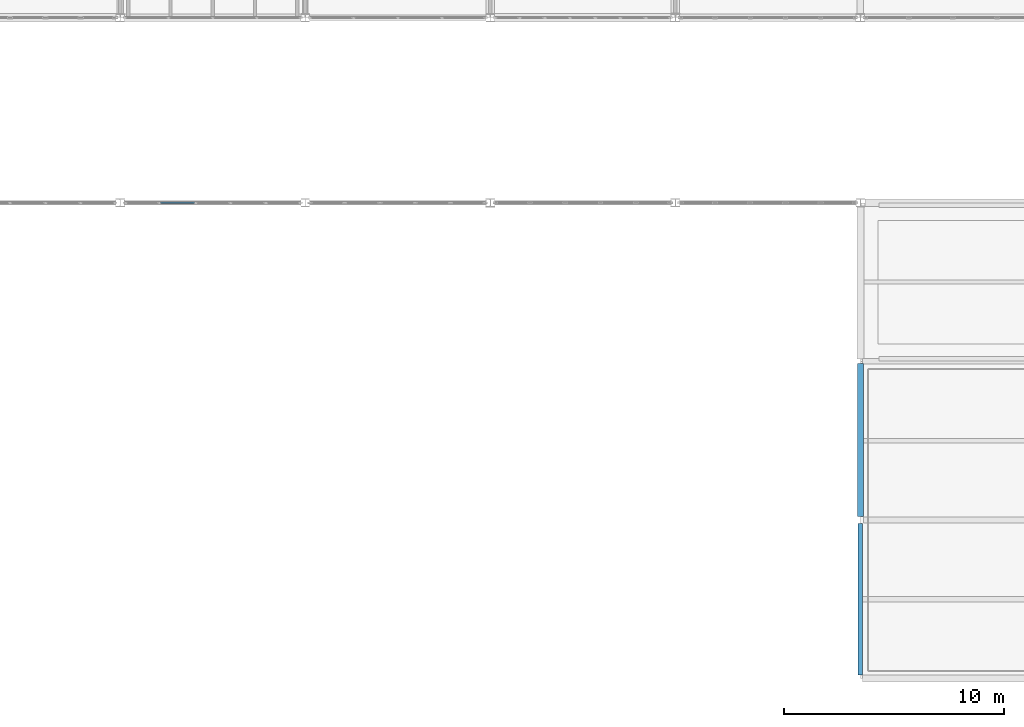
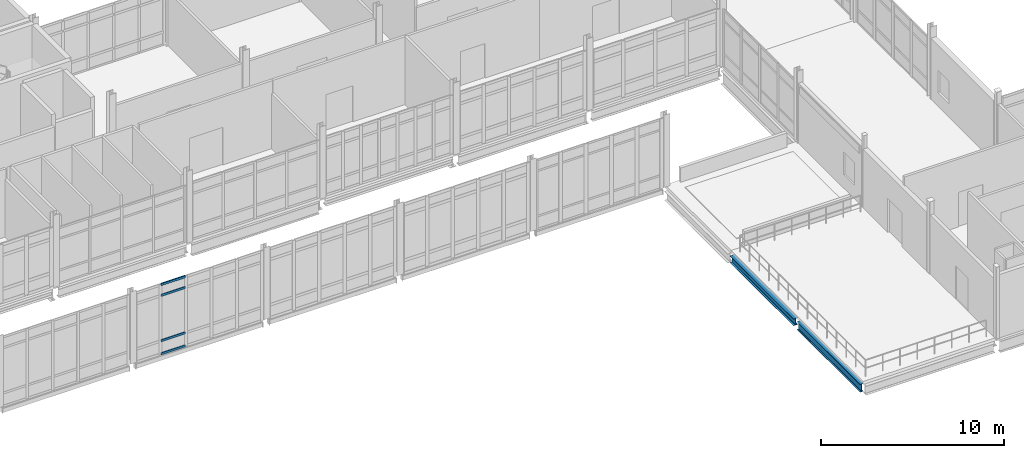
# One storey, part 20 of 186: 4 members, 2 beams, 1 element without a shape of its own.
"""IFC4 building model written with IfcOpenShell, lengths in metres."""

from ifc_helpers import new_model, si_unit, direction, frame, origin, origin_2d, place, context, subcontext, project, spatial, hollow_rectangle, i_section, extrude, material, layer, layer_set, material_profile, profile_set, type_object, element, aggregate, save


model = new_model("IFC4")

# Units and contexts
model_context = context("Model", 3, precision=1e-05, world=origin(), true_north=direction((0.0, 1.0)))
body_context = subcontext(model_context, "Body", "Model", "MODEL_VIEW")
ifc_project = project(units=[si_unit("LENGTHUNIT", "METRE"), si_unit("AREAUNIT", "SQUARE_METRE"), si_unit("VOLUMEUNIT", "CUBIC_METRE"), si_unit("PLANEANGLEUNIT", "RADIAN"), si_unit("MASSUNIT", "GRAM", prefix="KILO")], contexts=[model_context])

# Site, building, storey
site_placement = place(None, origin())
site = spatial("IfcSite", under=ifc_project, at=site_placement, CompositionType="ELEMENT")
building_placement = place(site_placement, origin())
building = spatial("IfcBuilding", under=site, at=building_placement, Name="Calvrana Isthmian Art Gallery", CompositionType="ELEMENT")
storey_placement = place(building_placement, frame((0.0, 0.0, 5.39990234375)))
storey = spatial("IfcBuildingStorey", under=building, at=storey_placement, Name="L01", CompositionType="ELEMENT", Elevation=5.39990234375)

# Beams
ifc_material_1 = material(Name="Steel ASTM A992 Gr 50", Category="steel")
ifc_material_profile_1 = material_profile(ifc_material_1, i_section(OverallWidth=0.279052734375, OverallDepth=0.4619140625, WebThickness=0.0107421875, FlangeThickness=0.017333984375, FilletRadius=0.02001953125, at=origin_2d()), Name="W18X76")
ifc_profile_set_1 = profile_set([ifc_material_profile_1], Name="Steel ASTM A992 Gr 50")
beam_type_1 = type_object("IfcBeamType", Name="BM-G-W18X76", PredefinedType="BEAM", material=ifc_profile_set_1)
beam_1_placement = place(storey_placement, frame((63.60009765625, 7.352294921875, -0.475830078125), z_axis=(0.0, 1.0, 0.0), x_axis=(-1.0, 0.0, 0.0)))
element("IfcBeam", 1, at=beam_1_placement, inside=storey, type_object=beam_type_1, Name="Girder Y L01 09/B-C", PredefinedType="BEAM", context=body_context, shape_type="SweptSolid", body=[
    extrude(i_section(OverallWidth=0.279052734375, OverallDepth=0.4619140625, WebThickness=0.0107421875, FlangeThickness=0.017333984375, FilletRadius=0.02001953125, at=origin_2d()), origin(), (0.0, 0.0, 1.0), 6.946044921875),
])
ifc_material_profile_2 = material_profile(ifc_material_1, i_section(OverallWidth=0.208984375, OverallDepth=0.532958984375, WebThickness=0.01025390625, FlangeThickness=0.015625, FilletRadius=0.02099609375, at=origin_2d()), Name="W21X62")
ifc_profile_set_2 = profile_set([ifc_material_profile_2], Name="Steel ASTM A992 Gr 50")
beam_type_2 = type_object("IfcBeamType", Name="BM-G-W21X62", PredefinedType="BEAM", material=ifc_profile_set_2)
beam_2_placement = place(storey_placement, frame((63.60009765625, 0.15234375, -0.511474609375), z_axis=(0.0, 1.0, 0.0), x_axis=(-1.0, 0.0, 0.0)))
element("IfcBeam", 2, at=beam_2_placement, inside=storey, type_object=beam_type_2, Name="Girder Y L01 09/A-B", PredefinedType="BEAM", context=body_context, shape_type="SweptSolid", body=[
    extrude(i_section(OverallWidth=0.208984375, OverallDepth=0.532958984375, WebThickness=0.01025390625, FlangeThickness=0.015625, FilletRadius=0.02099609375, at=origin_2d()), origin(), (0.0, 0.0, 1.0), 6.895263671875),
])

# Curtain wall, members
ifc_material_2 = material(Name="Anodized bronze aluminium 6063-T6", Category="aluminium")
ifc_layer = layer(ifc_material_2, 0.179931640625, Name="Anodized bronze aluminium 6063-T6")
ifc_layer_set = layer_set([ifc_layer], Name="Anodized bronze aluminium 6063-T6")
curtain_wall_type = type_object("IfcCurtainWallType", Name="CW-STICK-080X47", PredefinedType="NOTDEFINED", material=ifc_layer_set)
curtain_wall_placement = place(storey_placement, origin())
curtain_wall = element("IfcCurtainWall", 3, at=curtain_wall_placement, inside=storey, type_object=curtain_wall_type, Name="Curtain wall CW-002", PredefinedType="NOTDEFINED")
ifc_material_profile_3 = material_profile(ifc_material_2, hollow_rectangle(XDim=0.06494140625, YDim=0.14990234375, WallThickness=0.00390625, at=origin_2d()), Name="CWT65X150")
ifc_profile_set_3 = profile_set([ifc_material_profile_3], Name="Anodized bronze aluminium 6063-T6")
member_type = type_object("IfcMemberType", Name="CWT-CWT65X150", PredefinedType="USERDEFINED", material=ifc_profile_set_3)
member_1_placement = place(storey_placement, frame((33.37109375, 21.60009765625, -0.117431640625), z_axis=(-1.0, 0.0, 0.0), x_axis=(0.0, -1.0, 0.0)))
member_1 = element("IfcMember", 4, at=member_1_placement, type_object=member_type, Name="CW-002 transom 4.1", ObjectType="TRANSOM", PredefinedType="USERDEFINED", context=body_context, shape_type="SweptSolid", body=[
    extrude(hollow_rectangle(XDim=0.06494140625, YDim=0.14990234375, WallThickness=0.00390625, at=origin_2d()), origin(), (0.0, 0.0, 1.0), 1.538330078125),
])
member_2_placement = place(storey_placement, frame((33.37109375, 21.60009765625, 0.75), z_axis=(-1.0, 0.0, 0.0), x_axis=(0.0, -1.0, 0.0)))
member_2 = element("IfcMember", 5, at=member_2_placement, type_object=member_type, Name="CW-002 transom 4.2", ObjectType="TRANSOM", PredefinedType="USERDEFINED", context=body_context, shape_type="SweptSolid", body=[
    extrude(hollow_rectangle(XDim=0.06494140625, YDim=0.14990234375, WallThickness=0.00390625, at=origin_2d()), origin(), (0.0, 0.0, 1.0), 1.538330078125),
])
member_3_placement = place(storey_placement, frame((33.37109375, 21.60009765625, 3.77001953125), z_axis=(-1.0, 0.0, 0.0), x_axis=(0.0, -1.0, 0.0)))
member_3 = element("IfcMember", 6, at=member_3_placement, type_object=member_type, Name="CW-002 transom 4.3", ObjectType="TRANSOM", PredefinedType="USERDEFINED", context=body_context, shape_type="SweptSolid", body=[
    extrude(hollow_rectangle(XDim=0.06494140625, YDim=0.14990234375, WallThickness=0.00390625, at=origin_2d()), origin(), (0.0, 0.0, 1.0), 1.538330078125),
])
member_4_placement = place(storey_placement, frame((33.37109375, 21.60009765625, 4.487548828125), z_axis=(-1.0, 0.0, 0.0), x_axis=(0.0, -1.0, 0.0)))
member_4 = element("IfcMember", 7, at=member_4_placement, type_object=member_type, Name="CW-002 transom 4.4", ObjectType="TRANSOM", PredefinedType="USERDEFINED", context=body_context, shape_type="SweptSolid", body=[
    extrude(hollow_rectangle(XDim=0.06494140625, YDim=0.14990234375, WallThickness=0.00390625, at=origin_2d()), origin(), (0.0, 0.0, 1.0), 1.538330078125),
])
aggregate(curtain_wall, [member_1, member_2, member_3, member_4])

save(model, "model.ifc")
